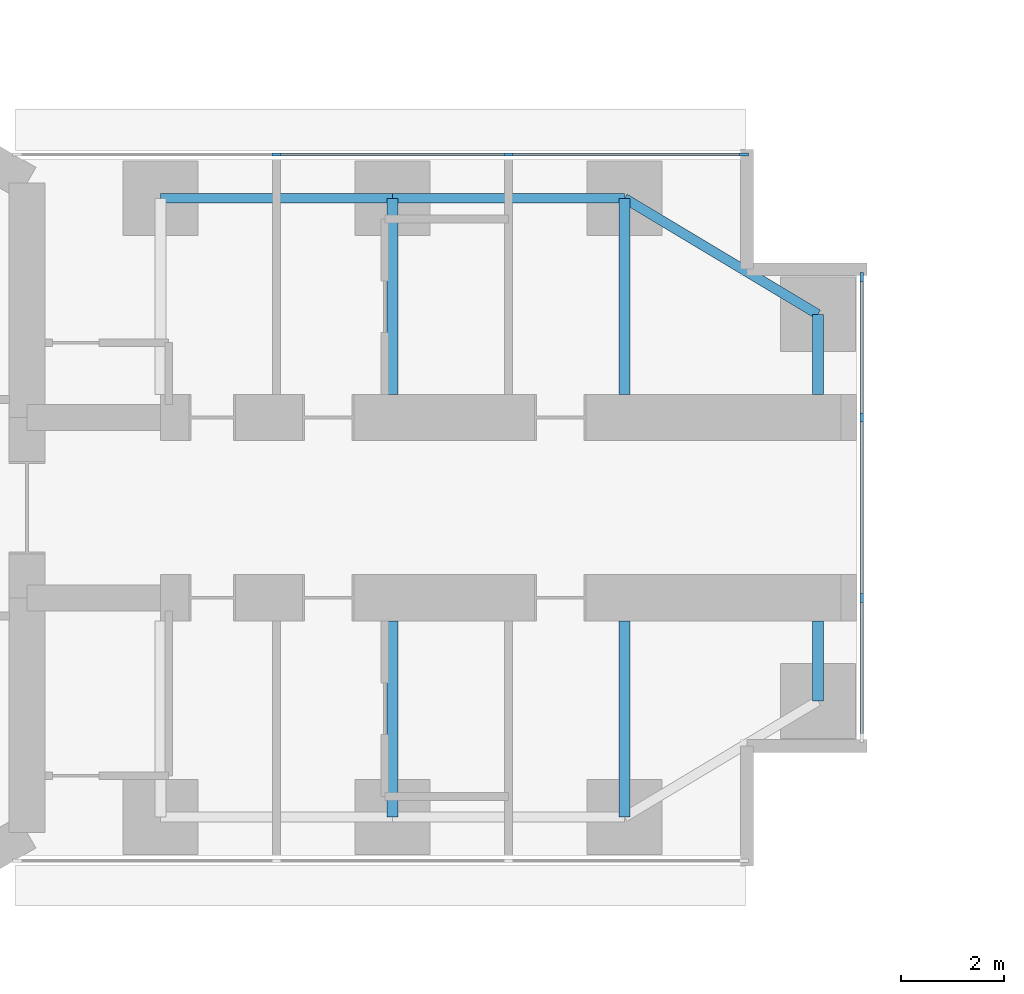
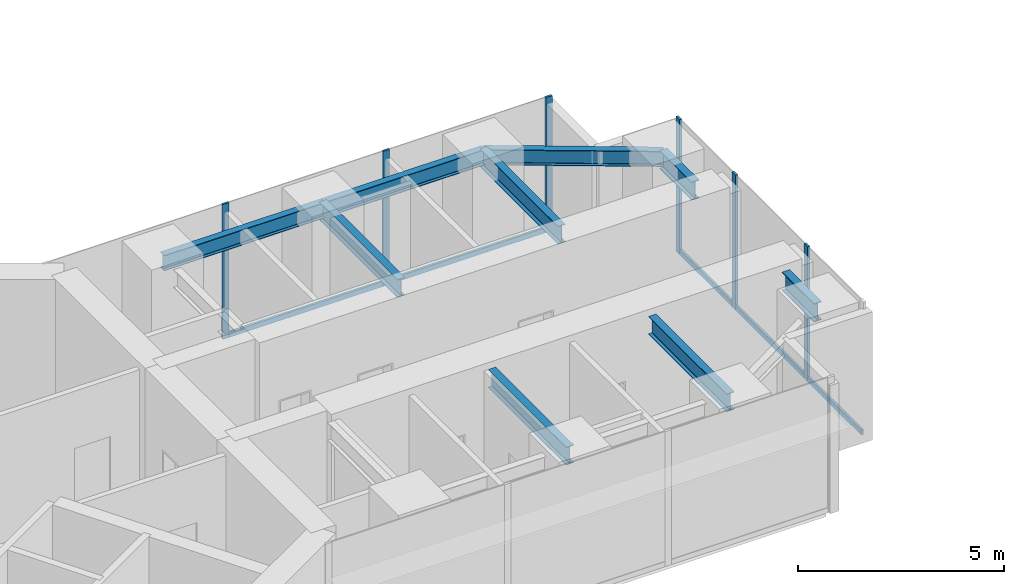
# One storey, part 8 of 24: 11 members, 9 beams, 2 elements without a shape of their own.
"""IFC4 building model written with IfcOpenShell, lengths in metres."""

from ifc_helpers import new_model, si_unit, direction, frame, origin, origin_2d, place, context, subcontext, project, spatial, rectangle, i_section, extrude, material, material_profile, profile_set, type_object, element, aggregate, save


model = new_model("IFC4")

# Units and contexts
model_context = context("Model", 3, precision=1e-05, world=origin(), true_north=direction((0.0, 1.0)))
body_context = subcontext(model_context, "Body", "Model", "MODEL_VIEW")
ifc_project = project(units=[si_unit("LENGTHUNIT", "METRE"), si_unit("AREAUNIT", "SQUARE_METRE"), si_unit("VOLUMEUNIT", "CUBIC_METRE"), si_unit("PLANEANGLEUNIT", "RADIAN"), si_unit("MASSUNIT", "GRAM", prefix="KILO")], contexts=[model_context])

# Site, building, storey
site_placement = place(None, origin())
site = spatial("IfcSite", under=ifc_project, at=site_placement, CompositionType="ELEMENT")
building_placement = place(site_placement, origin())
building = spatial("IfcBuilding", under=site, at=building_placement, Name="Upepo Twin Towers", CompositionType="ELEMENT")
storey_placement = place(building_placement, frame((0.0, 0.0, 68.5)))
storey = spatial("IfcBuildingStorey", under=building, at=storey_placement, Name="L16", CompositionType="ELEMENT", Elevation=68.5)

# Beams
ifc_material_1 = material(Name="Steel S355", Category="steel")
ifc_material_profile_1 = material_profile(ifc_material_1, i_section(OverallWidth=0.1904296875, OverallDepth=0.45703125, WebThickness=0.009033203125, FlangeThickness=0.014404296875, FilletRadius=0.01025390625, at=origin_2d()), Name="UB 457x191x74")
ifc_profile_set_1 = profile_set([ifc_material_profile_1], Name="Steel S355")
beam_type_1 = type_object("IfcBeamType", Name="Beam UB 457x191x74", PredefinedType="BEAM", material=ifc_profile_set_1)
for number, where, z_axis, x_axis, name in (
    (1, (13.5, 6.0, 3.571533203125), (1.0, 0.0, 0.0), (0.0, 1.0, 0.0), "T1 edge beam AL 13.5-18.0"),
    (2, (18.0, 6.0, 3.571533203125), (1.0, 0.0, 0.0), (0.0, 1.0, 0.0), "T1 edge beam AL 18.0-22.5"),
):
    element("IfcBeam", number, at=place(storey_placement, frame(where, z_axis=z_axis, x_axis=x_axis)), inside=storey, type_object=beam_type_1, Name=name, PredefinedType="BEAM", context=body_context, shape_type="SweptSolid", body=[
        extrude(i_section(OverallWidth=0.1904296875, OverallDepth=0.45703125, WebThickness=0.009033203125, FlangeThickness=0.014404296875, FilletRadius=0.01025390625, at=origin_2d()), origin(), (0.0, 0.0, 1.0), 4.5),
    ])
beam_placement = place(storey_placement, frame((22.5, 6.0, 3.571533203125), z_axis=(0.857492925713, -0.514495755428, 0.0), x_axis=(0.514495755428, 0.857492925713, 0.0)))
element("IfcBeam", 3, at=beam_placement, inside=storey, type_object=beam_type_1, Name="T1 nose edge beam AL", PredefinedType="BEAM", context=body_context, shape_type="SweptSolid", body=[
    extrude(i_section(OverallWidth=0.1904296875, OverallDepth=0.45703125, WebThickness=0.009033203125, FlangeThickness=0.014404296875, FilletRadius=0.01025390625, at=origin_2d()), origin(), (0.0, 0.0, 1.0), 4.373291015625),
])
ifc_material_2 = material(Name="Steel S355", Category="steel")
ifc_material_profile_2 = material_profile(ifc_material_2, i_section(OverallWidth=0.2119140625, OverallDepth=0.54443359375, WebThickness=0.0126953125, FlangeThickness=0.021240234375, FilletRadius=0.0126953125, at=origin_2d()), Name="UB 533x210x122")
ifc_profile_set_2 = profile_set([ifc_material_profile_2], Name="Steel S355")
beam_type_2 = type_object("IfcBeamType", Name="Beam UB 533x210x122", PredefinedType="BEAM", material=ifc_profile_set_2)
for number, where, z_axis, x_axis, name in (
    (4, (26.25, 3.75, 3.52783203125), (0.0, -1.0, 0.0), (1.0, 0.0, 0.0), "T1 nose beam AL"),
    (5, (26.25, -3.75, 3.52783203125), (0.0, 1.0, 0.0), (-1.0, 0.0, 0.0), "T1 nose beam AR"),
):
    element("IfcBeam", number, at=place(storey_placement, frame(where, z_axis=z_axis, x_axis=x_axis)), inside=storey, type_object=beam_type_2, Name=name, PredefinedType="BEAM", context=body_context, shape_type="SweptSolid", body=[
        extrude(i_section(OverallWidth=0.2119140625, OverallDepth=0.54443359375, WebThickness=0.0126953125, FlangeThickness=0.021240234375, FilletRadius=0.0126953125, at=origin_2d()), origin(), (0.0, 0.0, 1.0), 1.550048828125),
    ])
ifc_material_3 = material(Name="Steel S355", Category="steel")
ifc_material_profile_3 = material_profile(ifc_material_3, i_section(OverallWidth=0.209228515625, OverallDepth=0.533203125, WebThickness=0.010009765625, FlangeThickness=0.015625, FilletRadius=0.0126953125, at=origin_2d()), Name="UB 533x210x92")
ifc_profile_set_3 = profile_set([ifc_material_profile_3], Name="Steel S355")
beam_type_3 = type_object("IfcBeamType", Name="Beam UB 533x210x92", PredefinedType="BEAM", material=ifc_profile_set_3)
for number, where, z_axis, x_axis, name in (
    (6, (18.0, 6.0, 3.533447265625), (0.0, -1.0, 0.0), (1.0, 0.0, 0.0), "T1 girder AL at 18.0"),
    (7, (22.5, 6.0, 3.533447265625), (0.0, -1.0, 0.0), (1.0, 0.0, 0.0), "T1 girder AL at 22.5"),
    (8, (18.0, -6.0, 3.533447265625), (0.0, 1.0, 0.0), (-1.0, 0.0, 0.0), "T1 girder AR at 18.0"),
    (9, (22.5, -6.0, 3.533447265625), (0.0, 1.0, 0.0), (-1.0, 0.0, 0.0), "T1 girder AR at 22.5"),
):
    element("IfcBeam", number, at=place(storey_placement, frame(where, z_axis=z_axis, x_axis=x_axis)), inside=storey, type_object=beam_type_3, Name=name, PredefinedType="BEAM", context=body_context, shape_type="SweptSolid", body=[
        extrude(i_section(OverallWidth=0.209228515625, OverallDepth=0.533203125, WebThickness=0.010009765625, FlangeThickness=0.015625, FilletRadius=0.0126953125, at=origin_2d()), origin(), (0.0, 0.0, 1.0), 3.800048828125),
    ])

# Curtain wall, members
ifc_material_4 = material(Name="Aluminium and fritted glass", Category="aluminium")
curtain_wall_type = type_object("IfcCurtainWallType", Name="Tower curtain wall TW1, fritted glass", PredefinedType="NOTDEFINED", material=ifc_material_4)
curtain_wall_1_placement = place(storey_placement, origin())
curtain_wall_1 = element("IfcCurtainWall", 10, at=curtain_wall_1_placement, inside=storey, type_object=curtain_wall_type, Name="T1 L16 wing A flank L curtain wall", PredefinedType="NOTDEFINED")
ifc_material_5 = material(Name="Aluminium mullion", Category="aluminium")
ifc_material_profile_4 = material_profile(ifc_material_5, rectangle(XDim=0.06494140625, YDim=0.179931640625, at=origin_2d()), Name="MULLION 65x180")
ifc_profile_set_4 = profile_set([ifc_material_profile_4], Name="Aluminium mullion")
member_type_1 = type_object("IfcMemberType", Name="Mullion 65x180 TW1", PredefinedType="MULLION", material=ifc_profile_set_4)
member_1_placement = place(storey_placement, frame((15.75, 6.85009765625, 0.0), z_axis=(0.0, 0.0, 1.0), x_axis=(0.0, 1.0, 0.0)))
member_1 = element("IfcMember", 11, at=member_1_placement, type_object=member_type_1, Name="T1 L16 wing A flank L curtain wall mullion 2", PredefinedType="MULLION", context=body_context, shape_type="SweptSolid", body=[
    extrude(rectangle(XDim=0.06494140625, YDim=0.179931640625, at=origin_2d()), origin(), (0.0, 0.0, 1.0), 4.0),
])
member_2_placement = place(storey_placement, frame((20.25, 6.85009765625, 0.0), z_axis=(0.0, 0.0, 1.0), x_axis=(0.0, 1.0, 0.0)))
member_2 = element("IfcMember", 12, at=member_2_placement, type_object=member_type_1, Name="T1 L16 wing A flank L curtain wall mullion 3", PredefinedType="MULLION", context=body_context, shape_type="SweptSolid", body=[
    extrude(rectangle(XDim=0.06494140625, YDim=0.179931640625, at=origin_2d()), origin(), (0.0, 0.0, 1.0), 4.0),
])
member_3_placement = place(storey_placement, frame((24.8173828125, 6.85009765625, 0.0), z_axis=(0.0, 0.0, 1.0), x_axis=(0.0, 1.0, 0.0)))
member_3 = element("IfcMember", 13, at=member_3_placement, type_object=member_type_1, Name="T1 L16 wing A flank L curtain wall mullion 4", PredefinedType="MULLION", context=body_context, shape_type="SweptSolid", body=[
    extrude(rectangle(XDim=0.06494140625, YDim=0.179931640625, at=origin_2d()), origin(), (0.0, 0.0, 1.0), 4.0),
])

curtain_wall_2_placement = place(storey_placement, origin())
curtain_wall_2 = element("IfcCurtainWall", 14, at=curtain_wall_2_placement, inside=storey, type_object=curtain_wall_type, Name="T1 L16 wing A nose curtain wall", PredefinedType="NOTDEFINED")
member_4_placement = place(storey_placement, frame((27.10009765625, -1.75, 0.0), z_axis=(0.0, 0.0, 1.0), x_axis=(-1.0, 0.0, 0.0)))
member_4 = element("IfcMember", 15, at=member_4_placement, type_object=member_type_1, Name="T1 L16 wing A nose curtain wall mullion 2", PredefinedType="MULLION", context=body_context, shape_type="SweptSolid", body=[
    extrude(rectangle(XDim=0.06494140625, YDim=0.179931640625, at=origin_2d()), origin(), (0.0, 0.0, 1.0), 4.0),
])
member_5_placement = place(storey_placement, frame((27.10009765625, 1.75, 0.0), z_axis=(0.0, 0.0, 1.0), x_axis=(-1.0, 0.0, 0.0)))
member_5 = element("IfcMember", 16, at=member_5_placement, type_object=member_type_1, Name="T1 L16 wing A nose curtain wall mullion 3", PredefinedType="MULLION", context=body_context, shape_type="SweptSolid", body=[
    extrude(rectangle(XDim=0.06494140625, YDim=0.179931640625, at=origin_2d()), origin(), (0.0, 0.0, 1.0), 4.0),
])
member_6_placement = place(storey_placement, frame((27.10009765625, 4.467529296875, 0.0), z_axis=(0.0, 0.0, 1.0), x_axis=(-1.0, 0.0, 0.0)))
member_6 = element("IfcMember", 17, at=member_6_placement, type_object=member_type_1, Name="T1 L16 wing A nose curtain wall mullion 4", PredefinedType="MULLION", context=body_context, shape_type="SweptSolid", body=[
    extrude(rectangle(XDim=0.06494140625, YDim=0.179931640625, at=origin_2d()), origin(), (0.0, 0.0, 1.0), 4.0),
])

# Member
ifc_material_6 = material(Name="Aluminium transom", Category="aluminium")
ifc_material_profile_5 = material_profile(ifc_material_6, rectangle(XDim=0.06494140625, YDim=0.14990234375, at=origin_2d()), Name="TRANSOM 65x150")
ifc_profile_set_5 = profile_set([ifc_material_profile_5], Name="Aluminium transom")
member_type_2 = type_object("IfcMemberType", Name="Transom 65x150 TW1", PredefinedType="USERDEFINED", material=ifc_profile_set_5)
member_7_placement = place(storey_placement, frame((15.782470703125, 6.85009765625, 0.074951171875), z_axis=(1.0, 0.0, 0.0), x_axis=(0.0, 1.0, 0.0)))
member_7 = element("IfcMember", 18, at=member_7_placement, type_object=member_type_2, Name="T1 L16 wing A flank L curtain wall transom 2", ObjectType="TRANSOM", PredefinedType="USERDEFINED", context=body_context, shape_type="SweptSolid", body=[
    extrude(rectangle(XDim=0.06494140625, YDim=0.14990234375, at=origin_2d()), origin(), (0.0, 0.0, 1.0), 4.43505859375),
])

member_8_placement = place(storey_placement, frame((20.282470703125, 6.85009765625, 0.074951171875), z_axis=(1.0, 0.0, 0.0), x_axis=(0.0, 1.0, 0.0)))
member_8 = element("IfcMember", 19, at=member_8_placement, type_object=member_type_2, Name="T1 L16 wing A flank L curtain wall transom 3", ObjectType="TRANSOM", PredefinedType="USERDEFINED", context=body_context, shape_type="SweptSolid", body=[
    extrude(rectangle(XDim=0.06494140625, YDim=0.14990234375, at=origin_2d()), origin(), (0.0, 0.0, 1.0), 4.50244140625),
])

aggregate(curtain_wall_1, [member_1, member_2, member_3, member_7, member_8])

member_9_placement = place(storey_placement, frame((27.10009765625, -4.43505859375, 0.074951171875), z_axis=(0.0, 1.0, 0.0), x_axis=(-1.0, 0.0, 0.0)))
member_9 = element("IfcMember", 20, at=member_9_placement, type_object=member_type_2, Name="T1 L16 wing A nose curtain wall transom 1", ObjectType="TRANSOM", PredefinedType="USERDEFINED", context=body_context, shape_type="SweptSolid", body=[
    extrude(rectangle(XDim=0.06494140625, YDim=0.14990234375, at=origin_2d()), origin(), (0.0, 0.0, 1.0), 2.652587890625),
])

member_10_placement = place(storey_placement, frame((27.10009765625, -1.717529296875, 0.074951171875), z_axis=(0.0, 1.0, 0.0), x_axis=(-1.0, 0.0, 0.0)))
member_10 = element("IfcMember", 21, at=member_10_placement, type_object=member_type_2, Name="T1 L16 wing A nose curtain wall transom 2", ObjectType="TRANSOM", PredefinedType="USERDEFINED", context=body_context, shape_type="SweptSolid", body=[
    extrude(rectangle(XDim=0.06494140625, YDim=0.14990234375, at=origin_2d()), origin(), (0.0, 0.0, 1.0), 3.43505859375),
])

member_11_placement = place(storey_placement, frame((27.10009765625, 1.782470703125, 0.074951171875), z_axis=(0.0, 1.0, 0.0), x_axis=(-1.0, 0.0, 0.0)))
member_11 = element("IfcMember", 22, at=member_11_placement, type_object=member_type_2, Name="T1 L16 wing A nose curtain wall transom 3", ObjectType="TRANSOM", PredefinedType="USERDEFINED", context=body_context, shape_type="SweptSolid", body=[
    extrude(rectangle(XDim=0.06494140625, YDim=0.14990234375, at=origin_2d()), origin(), (0.0, 0.0, 1.0), 2.652587890625),
])

aggregate(curtain_wall_2, [member_4, member_5, member_6, member_9, member_10, member_11])

save(model, "model.ifc")
